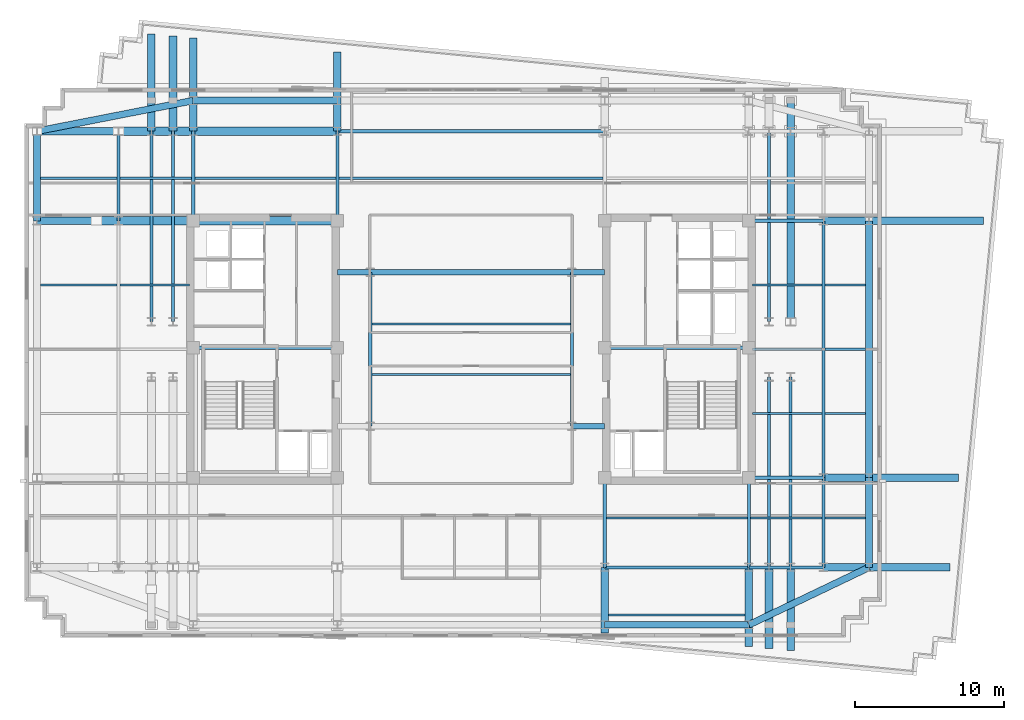
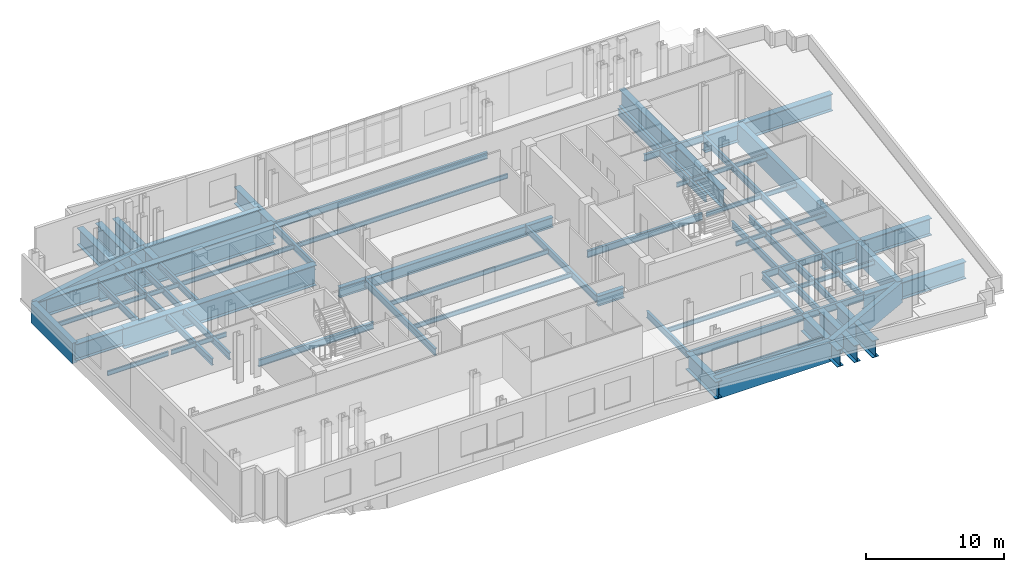
# One storey, part 2 of 11: 66 beams.
"""IFC4 building model written with IfcOpenShell, lengths in metres."""

from ifc_helpers import new_model, si_unit, direction, frame, origin, origin_2d, place, context, subcontext, project, spatial, rectangle, i_section, extrude, material, material_profile, profile_set, type_object, element, save


model = new_model("IFC4")

# Units and contexts
model_context = context("Model", 3, precision=1e-05, world=origin(), true_north=direction((0.0, 1.0)))
body_context = subcontext(model_context, "Body", "Model", "MODEL_VIEW")
ifc_project = project(units=[si_unit("LENGTHUNIT", "METRE"), si_unit("AREAUNIT", "SQUARE_METRE"), si_unit("VOLUMEUNIT", "CUBIC_METRE"), si_unit("PLANEANGLEUNIT", "RADIAN"), si_unit("MASSUNIT", "GRAM", prefix="KILO")], contexts=[model_context])

# Site, building, storey
site_placement = place(None, origin())
site = spatial("IfcSite", under=ifc_project, at=site_placement, CompositionType="ELEMENT")
building_placement = place(site_placement, origin())
building = spatial("IfcBuilding", under=site, at=building_placement, Name="Velakula Bourse", CompositionType="ELEMENT")
storey_placement = place(building_placement, frame((0.0, 0.0, 204.300048828125)))
storey = spatial("IfcBuildingStorey", under=building, at=storey_placement, Name="L55", CompositionType="ELEMENT", Elevation=204.300048828125)

# Beams
ifc_material_1 = material(Name="Steel IS 2062 Grade 350 (E350)", Category="steel")
ifc_material_profile_1 = material_profile(ifc_material_1, i_section(OverallWidth=0.2099609375, OverallDepth=0.60009765625, WebThickness=0.011962890625, FlangeThickness=0.020751953125, at=origin_2d()), Name="Steel IS 2062 Grade 350 (E350)")
ifc_profile_set_1 = profile_set([ifc_material_profile_1], Name="Steel IS 2062 Grade 350 (E350)")
beam_type_1 = type_object("IfcBeamType", Name="BM-GRD-600L", PredefinedType="BEAM", material=ifc_profile_set_1)
for number, where, z_axis, x_axis, name in (
    (1, (-18.60009765625, 0.10009765625, -0.580078125), (1.0, 0.0, 0.0), (0.0, 1.0, 0.0), "L55 Primary Backbone Girder CRW-M"),
    (2, (8.949951171875, 0.10009765625, -0.580078125), (1.0, 0.0, 0.0), (0.0, 1.0, 0.0), "L55 Primary Backbone Girder CRE-M"),
):
    element("IfcBeam", number, at=place(storey_placement, frame(where, z_axis=z_axis, x_axis=x_axis)), inside=storey, type_object=beam_type_1, Name=name, PredefinedType="BEAM", context=body_context, shape_type="SweptSolid", body=[
        extrude(i_section(OverallWidth=0.2099609375, OverallDepth=0.60009765625, WebThickness=0.011962890625, FlangeThickness=0.020751953125, at=origin_2d()), origin(), (0.0, 0.0, 1.0), 9.650146484375),
    ])
for number, where, z_axis, x_axis, name in (
    (3, (-6.75, -5.14990234375, -0.580078125), (0.0, 1.0, 0.0), (-1.0, 0.0, 0.0), "L55 Primary Backbone Girder SPN-W"),
    (4, (6.75, -5.14990234375, -0.580078125), (0.0, 1.0, 0.0), (-1.0, 0.0, 0.0), "L55 Primary Backbone Girder SPN-E"),
):
    element("IfcBeam", number, at=place(storey_placement, frame(where, z_axis=z_axis, x_axis=x_axis)), inside=storey, type_object=beam_type_1, Name=name, PredefinedType="BEAM", context=body_context, shape_type="SweptSolid", body=[
        extrude(i_section(OverallWidth=0.2099609375, OverallDepth=0.60009765625, WebThickness=0.011962890625, FlangeThickness=0.020751953125, at=origin_2d()), origin(), (0.0, 0.0, 1.0), 10.2998046875),
    ])
for number, where, z_axis, x_axis, name in (
    (5, (-18.60009765625, 8.60009765625, -0.580078125), (0.0, 1.0, 0.0), (-1.0, 0.0, 0.0), "L55 Fulcrum Grid Girder FLC-WN"),
    (6, (-8.949951171875, 8.60009765625, -0.580078125), (0.0, 1.0, 0.0), (-1.0, 0.0, 0.0), "L55 Fulcrum Grid Girder FLC-WCN"),
    (7, (8.949951171875, -14.60009765625, -0.580078125), (0.0, 1.0, 0.0), (-1.0, 0.0, 0.0), "L55 Fulcrum Grid Girder FLC-ECS"),
    (8, (18.60009765625, -14.60009765625, -0.580078125), (0.0, 1.0, 0.0), (-1.0, 0.0, 0.0), "L55 Fulcrum Grid Girder FLC-ES"),
):
    element("IfcBeam", number, at=place(storey_placement, frame(where, z_axis=z_axis, x_axis=x_axis)), inside=storey, type_object=beam_type_1, Name=name, PredefinedType="BEAM", context=body_context, shape_type="SweptSolid", body=[
        extrude(i_section(OverallWidth=0.2099609375, OverallDepth=0.60009765625, WebThickness=0.011962890625, FlangeThickness=0.020751953125, at=origin_2d()), origin(), (0.0, 0.0, 1.0), 6.0),
    ])
beam_1_placement = place(storey_placement, frame((8.949951171875, -14.60009765625, -0.580078125), z_axis=(1.0, 0.0, 0.0), x_axis=(0.0, 1.0, 0.0)))
element("IfcBeam", 9, at=beam_1_placement, inside=storey, type_object=beam_type_1, Name="L55 Fulcrum Grid Girder FLC-S3", PredefinedType="BEAM", context=body_context, shape_type="SweptSolid", body=[
    extrude(i_section(OverallWidth=0.2099609375, OverallDepth=0.60009765625, WebThickness=0.011962890625, FlangeThickness=0.020751953125, at=origin_2d()), origin(), (0.0, 0.0, 1.0), 9.650146484375),
])
beam_2_placement = place(storey_placement, frame((-8.949951171875, 14.60009765625, -0.580078125), z_axis=(1.0, 0.0, 0.0), x_axis=(0.0, 1.0, 0.0)))
element("IfcBeam", 10, at=beam_2_placement, inside=storey, type_object=beam_type_1, Name="L55 Fulcrum Grid Girder FLC-N2", PredefinedType="BEAM", context=body_context, shape_type="SweptSolid", body=[
    extrude(i_section(OverallWidth=0.2099609375, OverallDepth=0.60009765625, WebThickness=0.011962890625, FlangeThickness=0.020751953125, at=origin_2d()), origin(), (0.0, 0.0, 1.0), 17.89990234375),
])
for number, where, z_axis, x_axis, name in (
    (11, (-21.39990234375, 1.85009765625, -0.580078125), (0.0, 1.0, 0.0), (-1.0, 0.0, 0.0), "L55 Fulcrum Grid Girder FLC-PNW1"),
    (12, (-19.949951171875, 1.85009765625, -0.580078125), (0.0, 1.0, 0.0), (-1.0, 0.0, 0.0), "L55 Fulcrum Grid Girder FLC-PNW2"),
    (13, (19.949951171875, -14.60009765625, -0.580078125), (0.0, 1.0, 0.0), (-1.0, 0.0, 0.0), "L55 Fulcrum Grid Girder FLC-PSE1"),
    (14, (19.949951171875, 1.85009765625, -0.580078125), (0.0, 1.0, 0.0), (-1.0, 0.0, 0.0), "L55 Fulcrum Grid Girder FLC-PNE1"),
    (15, (21.39990234375, -14.60009765625, -0.580078125), (0.0, 1.0, 0.0), (-1.0, 0.0, 0.0), "L55 Fulcrum Grid Girder FLC-PSE2"),
):
    element("IfcBeam", number, at=place(storey_placement, frame(where, z_axis=z_axis, x_axis=x_axis)), inside=storey, type_object=beam_type_1, Name=name, PredefinedType="BEAM", context=body_context, shape_type="SweptSolid", body=[
        extrude(i_section(OverallWidth=0.2099609375, OverallDepth=0.60009765625, WebThickness=0.011962890625, FlangeThickness=0.020751953125, at=origin_2d()), origin(), (0.0, 0.0, 1.0), 12.75),
    ])
beam_3_placement = place(storey_placement, frame((-23.60009765625, 8.60009765625, -0.580078125), z_axis=(0.0, 1.0, 0.0), x_axis=(-1.0, 0.0, 0.0)))
element("IfcBeam", 16, at=beam_3_placement, inside=storey, type_object=beam_type_1, Name="L55 Fulcrum Grid Girder MWG-WNS3", PredefinedType="BEAM", context=body_context, shape_type="SweptSolid", body=[
    extrude(i_section(OverallWidth=0.2099609375, OverallDepth=0.60009765625, WebThickness=0.011962890625, FlangeThickness=0.020751953125, at=origin_2d()), origin(), (0.0, 0.0, 1.0), 6.0),
])
for number, where, z_axis, x_axis, name in (
    (17, (18.60009765625, -14.60009765625, -0.580078125), (1.0, 0.0, 0.0), (0.0, 1.0, 0.0), "L55 Fulcrum Grid Girder MWG-ES1"),
    (18, (18.60009765625, -8.60009765625, -0.580078125), (1.0, 0.0, 0.0), (0.0, 1.0, 0.0), "L55 Fulcrum Grid Girder MWG-ES2"),
    (19, (18.60009765625, 8.60009765625, -0.580078125), (1.0, 0.0, 0.0), (0.0, 1.0, 0.0), "L55 Fulcrum Grid Girder MWG-EN1"),
):
    element("IfcBeam", number, at=place(storey_placement, frame(where, z_axis=z_axis, x_axis=x_axis)), inside=storey, type_object=beam_type_1, Name=name, PredefinedType="BEAM", context=body_context, shape_type="SweptSolid", body=[
        extrude(i_section(OverallWidth=0.2099609375, OverallDepth=0.60009765625, WebThickness=0.011962890625, FlangeThickness=0.020751953125, at=origin_2d()), origin(), (0.0, 0.0, 1.0), 5.0),
    ])
beam_4_placement = place(storey_placement, frame((23.60009765625, -14.60009765625, -0.580078125), z_axis=(0.0, 1.0, 0.0), x_axis=(-1.0, 0.0, 0.0)))
element("IfcBeam", 20, at=beam_4_placement, inside=storey, type_object=beam_type_1, Name="L55 Fulcrum Grid Girder MWG-ENS1", PredefinedType="BEAM", context=body_context, shape_type="SweptSolid", body=[
    extrude(i_section(OverallWidth=0.2099609375, OverallDepth=0.60009765625, WebThickness=0.011962890625, FlangeThickness=0.020751953125, at=origin_2d()), origin(), (0.0, 0.0, 1.0), 6.0),
])
beam_5_placement = place(storey_placement, frame((23.60009765625, -8.60009765625, -0.580078125), z_axis=(0.0, 1.0, 0.0), x_axis=(-1.0, 0.0, 0.0)))
element("IfcBeam", 21, at=beam_5_placement, inside=storey, type_object=beam_type_1, Name="L55 Fulcrum Grid Girder MWG-ENS2", PredefinedType="BEAM", context=body_context, shape_type="SweptSolid", body=[
    extrude(i_section(OverallWidth=0.2099609375, OverallDepth=0.60009765625, WebThickness=0.011962890625, FlangeThickness=0.020751953125, at=origin_2d()), origin(), (0.0, 0.0, 1.0), 17.2001953125),
])
ifc_material_profile_2 = material_profile(ifc_material_1, i_section(OverallWidth=0.35009765625, OverallDepth=0.89990234375, WebThickness=0.02001953125, FlangeThickness=0.031982421875, at=origin_2d()), Name="Steel IS 2062 Grade 350 (E350)")
ifc_profile_set_2 = profile_set([ifc_material_profile_2], Name="Steel IS 2062 Grade 350 (E350)")
beam_type_2 = type_object("IfcBeamType", Name="BM-LNK-900", PredefinedType="BEAM", material=ifc_profile_set_2)
for number, where, z_axis, x_axis, name in (
    (22, (6.75, -5.14990234375, -0.72998046875), (1.0, 0.0, 0.0), (0.0, 1.0, 0.0), "L55 Primary Backbone Girder LNK-S3"),
    (23, (-8.949951171875, 5.14990234375, -0.72998046875), (1.0, 0.0, 0.0), (0.0, 1.0, 0.0), "L55 Primary Backbone Girder LNK-N1"),
):
    element("IfcBeam", number, at=place(storey_placement, frame(where, z_axis=z_axis, x_axis=x_axis)), inside=storey, type_object=beam_type_2, Name=name, PredefinedType="BEAM", context=body_context, shape_type="SweptSolid", body=[
        extrude(i_section(OverallWidth=0.35009765625, OverallDepth=0.89990234375, WebThickness=0.02001953125, FlangeThickness=0.031982421875, at=origin_2d()), origin(), (0.0, 0.0, 1.0), 2.199951171875),
    ])
beam_6_placement = place(storey_placement, frame((-6.75, 5.14990234375, -0.72998046875), z_axis=(1.0, 0.0, 0.0), x_axis=(0.0, 1.0, 0.0)))
element("IfcBeam", 24, at=beam_6_placement, inside=storey, type_object=beam_type_2, Name="L55 Primary Backbone Girder LNK-N2", PredefinedType="BEAM", context=body_context, shape_type="SweptSolid", body=[
    extrude(i_section(OverallWidth=0.35009765625, OverallDepth=0.89990234375, WebThickness=0.02001953125, FlangeThickness=0.031982421875, at=origin_2d()), origin(), (0.0, 0.0, 1.0), 13.5),
])
beam_7_placement = place(storey_placement, frame((6.75, 5.14990234375, -0.72998046875), z_axis=(1.0, 0.0, 0.0), x_axis=(0.0, 1.0, 0.0)))
element("IfcBeam", 25, at=beam_7_placement, inside=storey, type_object=beam_type_2, Name="L55 Primary Backbone Girder LNK-N3", PredefinedType="BEAM", context=body_context, shape_type="SweptSolid", body=[
    extrude(i_section(OverallWidth=0.35009765625, OverallDepth=0.89990234375, WebThickness=0.02001953125, FlangeThickness=0.031982421875, at=origin_2d()), origin(), (0.0, 0.0, 1.0), 2.199951171875),
])
ifc_material_profile_3 = material_profile(ifc_material_1, i_section(OverallWidth=0.139892578125, OverallDepth=0.39990234375, WebThickness=0.0087890625, FlangeThickness=0.01611328125, at=origin_2d()), Name="Steel IS 2062 Grade 350 (E350)")
ifc_profile_set_3 = profile_set([ifc_material_profile_3], Name="Steel IS 2062 Grade 350 (E350)")
beam_type_3 = type_object("IfcBeamType", Name="JST-TWR-400", PredefinedType="JOIST", material=ifc_profile_set_3)
beam_8_placement = place(storey_placement, frame((9.2099609375, -17.800048828125, -0.47998046875), z_axis=(1.0, 0.0, 0.0), x_axis=(0.0, 1.0, 0.0)))
element("IfcBeam", 26, at=beam_8_placement, inside=storey, type_object=beam_type_3, Name="L55 Trading Floor Composite Joist 03", PredefinedType="JOIST", context=body_context, shape_type="SweptSolid", body=[
    extrude(i_section(OverallWidth=0.139892578125, OverallDepth=0.39990234375, WebThickness=0.0087890625, FlangeThickness=0.01611328125, at=origin_2d()), origin(), (0.0, 0.0, 1.0), 9.130126953125),
])
beam_9_placement = place(storey_placement, frame((9.054931640625, -11.300048828125, -0.47998046875), z_axis=(1.0, 0.0, 0.0), x_axis=(0.0, 1.0, 0.0)))
element("IfcBeam", 27, at=beam_9_placement, inside=storey, type_object=beam_type_3, Name="L55 Trading Floor Composite Joist 08", PredefinedType="JOIST", context=body_context, shape_type="SweptSolid", body=[
    extrude(i_section(OverallWidth=0.139892578125, OverallDepth=0.39990234375, WebThickness=0.0087890625, FlangeThickness=0.01611328125, at=origin_2d()), origin(), (0.0, 0.0, 1.0), 9.440185546875),
])
beam_10_placement = place(storey_placement, frame((18.705078125, -11.300048828125, -0.47998046875), z_axis=(1.0, 0.0, 0.0), x_axis=(0.0, 1.0, 0.0)))
element("IfcBeam", 28, at=beam_10_placement, inside=storey, type_object=beam_type_3, Name="L55 Trading Floor Composite Joist 09", PredefinedType="JOIST", context=body_context, shape_type="SweptSolid", body=[
    extrude(i_section(OverallWidth=0.139892578125, OverallDepth=0.39990234375, WebThickness=0.0087890625, FlangeThickness=0.01611328125, at=origin_2d()), origin(), (0.0, 0.0, 1.0), 4.7900390625),
])
beam_11_placement = place(storey_placement, frame((23.705078125, -11.300048828125, -0.47998046875), z_axis=(1.0, 0.0, 0.0), x_axis=(0.0, 1.0, 0.0)))
element("IfcBeam", 29, at=beam_11_placement, inside=storey, type_object=beam_type_3, Name="L55 Trading Floor Composite Joist 10", PredefinedType="JOIST", context=body_context, shape_type="SweptSolid", body=[
    extrude(i_section(OverallWidth=0.139892578125, OverallDepth=0.39990234375, WebThickness=0.0087890625, FlangeThickness=0.01611328125, at=origin_2d()), origin(), (0.0, 0.0, 1.0), 2.719970703125),
])
beam_12_placement = place(storey_placement, frame((-28.824951171875, 11.449951171875, -0.47998046875), z_axis=(1.0, 0.0, 0.0), x_axis=(0.0, 1.0, 0.0)))
element("IfcBeam", 30, at=beam_12_placement, inside=storey, type_object=beam_type_3, Name="L55 Trading Floor Composite Joist 11", PredefinedType="JOIST", context=body_context, shape_type="SweptSolid", body=[
    extrude(i_section(OverallWidth=0.139892578125, OverallDepth=0.39990234375, WebThickness=0.0087890625, FlangeThickness=0.01611328125, at=origin_2d()), origin(), (0.0, 0.0, 1.0), 5.119873046875),
])
beam_13_placement = place(storey_placement, frame((-23.4951171875, 11.449951171875, -0.47998046875), z_axis=(1.0, 0.0, 0.0), x_axis=(0.0, 1.0, 0.0)))
element("IfcBeam", 31, at=beam_13_placement, inside=storey, type_object=beam_type_3, Name="L55 Trading Floor Composite Joist 12", PredefinedType="JOIST", context=body_context, shape_type="SweptSolid", body=[
    extrude(i_section(OverallWidth=0.139892578125, OverallDepth=0.39990234375, WebThickness=0.0087890625, FlangeThickness=0.01611328125, at=origin_2d()), origin(), (0.0, 0.0, 1.0), 4.7900390625),
])
beam_14_placement = place(storey_placement, frame((-18.4951171875, 11.449951171875, -0.47998046875), z_axis=(1.0, 0.0, 0.0), x_axis=(0.0, 1.0, 0.0)))
element("IfcBeam", 32, at=beam_14_placement, inside=storey, type_object=beam_type_3, Name="L55 Trading Floor Composite Joist 13", PredefinedType="JOIST", context=body_context, shape_type="SweptSolid", body=[
    extrude(i_section(OverallWidth=0.139892578125, OverallDepth=0.39990234375, WebThickness=0.0087890625, FlangeThickness=0.01611328125, at=origin_2d()), origin(), (0.0, 0.0, 1.0), 9.440185546875),
])
beam_15_placement = place(storey_placement, frame((-8.844970703125, 11.449951171875, -0.47998046875), z_axis=(1.0, 0.0, 0.0), x_axis=(0.0, 1.0, 0.0)))
element("IfcBeam", 33, at=beam_15_placement, inside=storey, type_object=beam_type_3, Name="L55 Trading Floor Composite Joist 14", PredefinedType="JOIST", context=body_context, shape_type="SweptSolid", body=[
    extrude(i_section(OverallWidth=0.139892578125, OverallDepth=0.39990234375, WebThickness=0.0087890625, FlangeThickness=0.01611328125, at=origin_2d()), origin(), (0.0, 0.0, 1.0), 17.68994140625),
])
for number, where, z_axis, x_axis, name in (
    (34, (-6.64501953125, -1.699951171875, -0.47998046875), (1.0, 0.0, 0.0), (0.0, 1.0, 0.0), "L55 Trading Floor Composite Joist 18"),
    (35, (-6.64501953125, 1.699951171875, -0.47998046875), (1.0, 0.0, 0.0), (0.0, 1.0, 0.0), "L55 Trading Floor Composite Joist 19"),
):
    element("IfcBeam", number, at=place(storey_placement, frame(where, z_axis=z_axis, x_axis=x_axis)), inside=storey, type_object=beam_type_3, Name=name, PredefinedType="JOIST", context=body_context, shape_type="SweptSolid", body=[
        extrude(i_section(OverallWidth=0.139892578125, OverallDepth=0.39990234375, WebThickness=0.0087890625, FlangeThickness=0.01611328125, at=origin_2d()), origin(), (0.0, 0.0, 1.0), 13.2900390625),
    ])
beam_16_placement = place(storey_placement, frame((18.85009765625, -4.300048828125, -0.47998046875), z_axis=(1.0, 0.0, 0.0), x_axis=(0.0, 1.0, 0.0)))
element("IfcBeam", 36, at=beam_16_placement, inside=storey, type_object=beam_type_3, Name="L55 Trading Floor Composite Joist 22", PredefinedType="JOIST", context=body_context, shape_type="SweptSolid", body=[
    extrude(i_section(OverallWidth=0.139892578125, OverallDepth=0.39990234375, WebThickness=0.0087890625, FlangeThickness=0.01611328125, at=origin_2d()), origin(), (0.0, 0.0, 1.0), 4.64501953125),
])
beam_17_placement = place(storey_placement, frame((23.705078125, -4.300048828125, -0.47998046875), z_axis=(1.0, 0.0, 0.0), x_axis=(0.0, 1.0, 0.0)))
element("IfcBeam", 37, at=beam_17_placement, inside=storey, type_object=beam_type_3, Name="L55 Trading Floor Composite Joist 23", PredefinedType="JOIST", context=body_context, shape_type="SweptSolid", body=[
    extrude(i_section(OverallWidth=0.139892578125, OverallDepth=0.39990234375, WebThickness=0.0087890625, FlangeThickness=0.01611328125, at=origin_2d()), origin(), (0.0, 0.0, 1.0), 2.719970703125),
])
beam_18_placement = place(storey_placement, frame((18.85009765625, 0.0, -0.47998046875), z_axis=(1.0, 0.0, 0.0), x_axis=(0.0, 1.0, 0.0)))
element("IfcBeam", 38, at=beam_18_placement, inside=storey, type_object=beam_type_3, Name="L55 Trading Floor Composite Joist 26", PredefinedType="JOIST", context=body_context, shape_type="SweptSolid", body=[
    extrude(i_section(OverallWidth=0.139892578125, OverallDepth=0.39990234375, WebThickness=0.0087890625, FlangeThickness=0.01611328125, at=origin_2d()), origin(), (0.0, 0.0, 1.0), 4.64501953125),
])
beam_19_placement = place(storey_placement, frame((23.705078125, 0.0, -0.47998046875), z_axis=(1.0, 0.0, 0.0), x_axis=(0.0, 1.0, 0.0)))
element("IfcBeam", 39, at=beam_19_placement, inside=storey, type_object=beam_type_3, Name="L55 Trading Floor Composite Joist 27", PredefinedType="JOIST", context=body_context, shape_type="SweptSolid", body=[
    extrude(i_section(OverallWidth=0.139892578125, OverallDepth=0.39990234375, WebThickness=0.0087890625, FlangeThickness=0.01611328125, at=origin_2d()), origin(), (0.0, 0.0, 1.0), 2.719970703125),
])
beam_20_placement = place(storey_placement, frame((-28.824951171875, 4.300048828125, -0.47998046875), z_axis=(1.0, 0.0, 0.0), x_axis=(0.0, 1.0, 0.0)))
element("IfcBeam", 40, at=beam_20_placement, inside=storey, type_object=beam_type_3, Name="L55 Trading Floor Composite Joist 28", PredefinedType="JOIST", context=body_context, shape_type="SweptSolid", body=[
    extrude(i_section(OverallWidth=0.139892578125, OverallDepth=0.39990234375, WebThickness=0.0087890625, FlangeThickness=0.01611328125, at=origin_2d()), origin(), (0.0, 0.0, 1.0), 5.119873046875),
])
for number, where, z_axis, x_axis, name in (
    (41, (-23.4951171875, 4.300048828125, -0.47998046875), (1.0, 0.0, 0.0), (0.0, 1.0, 0.0), "L55 Trading Floor Composite Joist 29"),
    (42, (18.85009765625, 4.300048828125, -0.47998046875), (1.0, 0.0, 0.0), (0.0, 1.0, 0.0), "L55 Trading Floor Composite Joist 30"),
):
    element("IfcBeam", number, at=place(storey_placement, frame(where, z_axis=z_axis, x_axis=x_axis)), inside=storey, type_object=beam_type_3, Name=name, PredefinedType="JOIST", context=body_context, shape_type="SweptSolid", body=[
        extrude(i_section(OverallWidth=0.139892578125, OverallDepth=0.39990234375, WebThickness=0.0087890625, FlangeThickness=0.01611328125, at=origin_2d()), origin(), (0.0, 0.0, 1.0), 4.64501953125),
    ])
beam_21_placement = place(storey_placement, frame((23.705078125, 4.300048828125, -0.47998046875), z_axis=(1.0, 0.0, 0.0), x_axis=(0.0, 1.0, 0.0)))
element("IfcBeam", 43, at=beam_21_placement, inside=storey, type_object=beam_type_3, Name="L55 Trading Floor Composite Joist 31", PredefinedType="JOIST", context=body_context, shape_type="SweptSolid", body=[
    extrude(i_section(OverallWidth=0.139892578125, OverallDepth=0.39990234375, WebThickness=0.0087890625, FlangeThickness=0.01611328125, at=origin_2d()), origin(), (0.0, 0.0, 1.0), 2.719970703125),
])
ifc_material_2 = material(Name="Concrete M50 (fck 50 MPa)", Category="concrete")
ifc_material_profile_4 = material_profile(ifc_material_2, rectangle(XDim=0.449951171875, YDim=1.800048828125, at=origin_2d()), Name="Concrete M50 (fck 50 MPa)")
ifc_profile_set_4 = profile_set([ifc_material_profile_4], Name="Concrete M50 (fck 50 MPa)")
beam_type_4 = type_object("IfcBeamType", Name="SPN-TRF-1800", PredefinedType="SPANDREL", material=ifc_profile_set_4)
for number, where, z_axis, x_axis, name in (
    (44, (8.949951171875, -18.449951171875, -1.179931640625), (1.0, 0.0, 0.0), (0.0, 1.0, 0.0), "L55 Brick-Faced Precast Spandrel S3-S4"),
    (45, (-18.60009765625, 16.64990234375, -1.179931640625), (1.0, 0.0, 0.0), (0.0, 1.0, 0.0), "L55 Brick-Faced Precast Spandrel N1-N2"),
):
    element("IfcBeam", number, at=place(storey_placement, frame(where, z_axis=z_axis, x_axis=x_axis)), inside=storey, type_object=beam_type_4, Name=name, PredefinedType="SPANDREL", context=body_context, shape_type="SweptSolid", body=[
        extrude(rectangle(XDim=0.449951171875, YDim=1.800048828125, at=origin_2d()), origin(), (0.0, 0.0, 1.0), 9.650146484375),
    ])
for number, where, z_axis, x_axis, name in (
    (46, (-29.050048828125, 8.60009765625, -1.179931640625), (0.0, 1.0, 0.0), (-1.0, 0.0, 0.0), "L55 Brick-Faced Precast Spandrel W3-W4"),
    (47, (26.64990234375, -14.60009765625, -1.179931640625), (0.0, 1.0, 0.0), (-1.0, 0.0, 0.0), "L55 Brick-Faced Precast Spandrel E1-E2"),
):
    element("IfcBeam", number, at=place(storey_placement, frame(where, z_axis=z_axis, x_axis=x_axis)), inside=storey, type_object=beam_type_4, Name=name, PredefinedType="SPANDREL", context=body_context, shape_type="SweptSolid", body=[
        extrude(rectangle(XDim=0.449951171875, YDim=1.800048828125, at=origin_2d()), origin(), (0.0, 0.0, 1.0), 6.0),
    ])
beam_22_placement = place(storey_placement, frame((26.64990234375, -8.60009765625, -1.179931640625), z_axis=(0.0, 1.0, 0.0), x_axis=(-1.0, 0.0, 0.0)))
element("IfcBeam", 48, at=beam_22_placement, inside=storey, type_object=beam_type_4, Name="L55 Brick-Faced Precast Spandrel E2-E3", PredefinedType="SPANDREL", context=body_context, shape_type="SweptSolid", body=[
    extrude(rectangle(XDim=0.449951171875, YDim=1.800048828125, at=origin_2d()), origin(), (0.0, 0.0, 1.0), 17.2001953125),
])
beam_23_placement = place(storey_placement, frame((18.60009765625, -18.449951171875, -1.179931640625), z_axis=(0.902136536758, 0.431450656561, 0.0), x_axis=(-0.431450656561, 0.902136536758, 0.0)))
element("IfcBeam", 49, at=beam_23_placement, inside=storey, type_object=beam_type_4, Name="L55 Brick-Faced Precast Spandrel S4-E1", PredefinedType="SPANDREL", context=body_context, shape_type="SweptSolid", body=[
    extrude(rectangle(XDim=0.449951171875, YDim=1.800048828125, at=origin_2d()), origin(), (0.0, 0.0, 1.0), 8.923095703125),
])
beam_24_placement = place(storey_placement, frame((-18.60009765625, 16.64990234375, -1.179931640625), z_axis=(-0.981299657048, -0.192486319197, 0.0), x_axis=(0.192486319197, -0.981299657048, 0.0)))
element("IfcBeam", 50, at=beam_24_placement, inside=storey, type_object=beam_type_4, Name="L55 Brick-Faced Precast Spandrel N1-W4", PredefinedType="SPANDREL", context=body_context, shape_type="SweptSolid", body=[
    extrude(rectangle(XDim=0.449951171875, YDim=1.800048828125, at=origin_2d()), origin(), (0.0, 0.0, 1.0), 10.649169921875),
])
ifc_material_3 = material(Name="Steel IS 2062 Grade 450 (E450)", Category="steel")
ifc_material_profile_5 = material_profile(ifc_material_3, i_section(OverallWidth=0.52001953125, OverallDepth=1.5, WebThickness=0.030029296875, FlangeThickness=0.048095703125, at=origin_2d()), Name="Steel IS 2062 Grade 450 (E450)")
ifc_profile_set_5 = profile_set([ifc_material_profile_5], Name="Steel IS 2062 Grade 450 (E450)")
beam_type_5 = type_object("IfcBeamType", Name="TB-CANT-1500", PredefinedType="BEAM", material=ifc_profile_set_5)
beam_25_placement = place(storey_placement, frame((8.949951171875, -18.9814453125, -1.030029296875), z_axis=(0.0, 1.0, 0.0), x_axis=(-1.0, 0.0, 0.0)))
element("IfcBeam", 51, at=beam_25_placement, inside=storey, type_object=beam_type_5, Name="L55 Block B5 Transfer Girder S3", PredefinedType="BEAM", context=body_context, shape_type="SweptSolid", body=[
    extrude(i_section(OverallWidth=0.52001953125, OverallDepth=1.5, WebThickness=0.030029296875, FlangeThickness=0.048095703125, at=origin_2d()), origin(), (0.0, 0.0, 1.0), 4.38134765625),
])
beam_26_placement = place(storey_placement, frame((18.60009765625, -19.91064453125, -1.030029296875), z_axis=(0.0, 1.0, 0.0), x_axis=(-1.0, 0.0, 0.0)))
element("IfcBeam", 52, at=beam_26_placement, inside=storey, type_object=beam_type_5, Name="L55 Block B5 Transfer Girder S4", PredefinedType="BEAM", context=body_context, shape_type="SweptSolid", body=[
    extrude(i_section(OverallWidth=0.52001953125, OverallDepth=1.5, WebThickness=0.030029296875, FlangeThickness=0.048095703125, at=origin_2d()), origin(), (0.0, 0.0, 1.0), 5.310546875),
])
beam_27_placement = place(storey_placement, frame((-18.60009765625, 14.60009765625, -1.030029296875), z_axis=(0.0, 1.0, 0.0), x_axis=(-1.0, 0.0, 0.0)))
element("IfcBeam", 53, at=beam_27_placement, inside=storey, type_object=beam_type_5, Name="L55 Block B5 Transfer Girder N1", PredefinedType="BEAM", context=body_context, shape_type="SweptSolid", body=[
    extrude(i_section(OverallWidth=0.52001953125, OverallDepth=1.5, WebThickness=0.030029296875, FlangeThickness=0.048095703125, at=origin_2d()), origin(), (0.0, 0.0, 1.0), 6.2421875),
])
beam_28_placement = place(storey_placement, frame((-8.949951171875, 14.60009765625, -1.030029296875), z_axis=(0.0, 1.0, 0.0), x_axis=(-1.0, 0.0, 0.0)))
element("IfcBeam", 54, at=beam_28_placement, inside=storey, type_object=beam_type_5, Name="L55 Block B5 Transfer Girder N2", PredefinedType="BEAM", context=body_context, shape_type="SweptSolid", body=[
    extrude(i_section(OverallWidth=0.52001953125, OverallDepth=1.5, WebThickness=0.030029296875, FlangeThickness=0.048095703125, at=origin_2d()), origin(), (0.0, 0.0, 1.0), 5.31298828125),
])
beam_29_placement = place(storey_placement, frame((-25.068115234375, 8.60009765625, -1.030029296875), z_axis=(-1.0, 0.0, 0.0), x_axis=(0.0, -1.0, 0.0)))
element("IfcBeam", 55, at=beam_29_placement, inside=storey, type_object=beam_type_5, Name="L55 Primary Cantilever Transfer Chord W3", PredefinedType="BEAM", context=body_context, shape_type="SweptSolid", body=[
    extrude(i_section(OverallWidth=0.52001953125, OverallDepth=1.5, WebThickness=0.030029296875, FlangeThickness=0.048095703125, at=origin_2d()), origin(), (0.0, 0.0, 1.0), 3.98193359375),
])
beam_30_placement = place(storey_placement, frame((-23.60009765625, 14.60009765625, -1.030029296875), z_axis=(-1.0, 0.0, 0.0), x_axis=(0.0, -1.0, 0.0)))
element("IfcBeam", 56, at=beam_30_placement, inside=storey, type_object=beam_type_5, Name="L55 Primary Cantilever Transfer Chord W4", PredefinedType="BEAM", context=body_context, shape_type="SweptSolid", body=[
    extrude(i_section(OverallWidth=0.52001953125, OverallDepth=1.5, WebThickness=0.030029296875, FlangeThickness=0.048095703125, at=origin_2d()), origin(), (0.0, 0.0, 1.0), 5.449951171875),
])
beam_31_placement = place(storey_placement, frame((23.60009765625, -14.60009765625, -1.030029296875), z_axis=(1.0, 0.0, 0.0), x_axis=(0.0, 1.0, 0.0)))
element("IfcBeam", 57, at=beam_31_placement, inside=storey, type_object=beam_type_5, Name="L55 Block B5 Transfer Girder E1", PredefinedType="BEAM", context=body_context, shape_type="SweptSolid", body=[
    extrude(i_section(OverallWidth=0.52001953125, OverallDepth=1.5, WebThickness=0.030029296875, FlangeThickness=0.048095703125, at=origin_2d()), origin(), (0.0, 0.0, 1.0), 8.47119140625),
])
beam_32_placement = place(storey_placement, frame((23.60009765625, -8.60009765625, -1.030029296875), z_axis=(1.0, 0.0, 0.0), x_axis=(0.0, 1.0, 0.0)))
element("IfcBeam", 58, at=beam_32_placement, inside=storey, type_object=beam_type_5, Name="L55 Block B5 Transfer Girder E2", PredefinedType="BEAM", context=body_context, shape_type="SweptSolid", body=[
    extrude(i_section(OverallWidth=0.52001953125, OverallDepth=1.5, WebThickness=0.030029296875, FlangeThickness=0.048095703125, at=origin_2d()), origin(), (0.0, 0.0, 1.0), 9.048828125),
])
beam_33_placement = place(storey_placement, frame((23.60009765625, 8.60009765625, -1.030029296875), z_axis=(1.0, 0.0, 0.0), x_axis=(0.0, 1.0, 0.0)))
element("IfcBeam", 59, at=beam_33_placement, inside=storey, type_object=beam_type_5, Name="L55 Block B5 Transfer Girder E3", PredefinedType="BEAM", context=body_context, shape_type="SweptSolid", body=[
    extrude(i_section(OverallWidth=0.52001953125, OverallDepth=1.5, WebThickness=0.030029296875, FlangeThickness=0.048095703125, at=origin_2d()), origin(), (0.0, 0.0, 1.0), 10.705078125),
])
beam_34_placement = place(storey_placement, frame((19.949951171875, -20.04052734375, -1.030029296875), z_axis=(0.0, 1.0, 0.0), x_axis=(-1.0, 0.0, 0.0)))
element("IfcBeam", 60, at=beam_34_placement, inside=storey, type_object=beam_type_5, Name="L55 Block B5 Transfer Girder P03", PredefinedType="BEAM", context=body_context, shape_type="SweptSolid", body=[
    extrude(i_section(OverallWidth=0.52001953125, OverallDepth=1.5, WebThickness=0.030029296875, FlangeThickness=0.048095703125, at=origin_2d()), origin(), (0.0, 0.0, 1.0), 5.4404296875),
])
beam_35_placement = place(storey_placement, frame((21.39990234375, -20.180419921875, -1.030029296875), z_axis=(0.0, 1.0, 0.0), x_axis=(-1.0, 0.0, 0.0)))
element("IfcBeam", 61, at=beam_35_placement, inside=storey, type_object=beam_type_5, Name="L55 Block B5 Transfer Girder P04", PredefinedType="BEAM", context=body_context, shape_type="SweptSolid", body=[
    extrude(i_section(OverallWidth=0.52001953125, OverallDepth=1.5, WebThickness=0.030029296875, FlangeThickness=0.048095703125, at=origin_2d()), origin(), (0.0, 0.0, 1.0), 5.580322265625),
])
beam_36_placement = place(storey_placement, frame((-21.39990234375, 14.60009765625, -1.030029296875), z_axis=(0.0, 1.0, 0.0), x_axis=(-1.0, 0.0, 0.0)))
element("IfcBeam", 62, at=beam_36_placement, inside=storey, type_object=beam_type_5, Name="L55 Block B5 Transfer Girder P05", PredefinedType="BEAM", context=body_context, shape_type="SweptSolid", body=[
    extrude(i_section(OverallWidth=0.52001953125, OverallDepth=1.5, WebThickness=0.030029296875, FlangeThickness=0.048095703125, at=origin_2d()), origin(), (0.0, 0.0, 1.0), 6.511962890625),
])
beam_37_placement = place(storey_placement, frame((-19.949951171875, 14.60009765625, -1.030029296875), z_axis=(0.0, 1.0, 0.0), x_axis=(-1.0, 0.0, 0.0)))
element("IfcBeam", 63, at=beam_37_placement, inside=storey, type_object=beam_type_5, Name="L55 Block B5 Transfer Girder P06", PredefinedType="BEAM", context=body_context, shape_type="SweptSolid", body=[
    extrude(i_section(OverallWidth=0.52001953125, OverallDepth=1.5, WebThickness=0.030029296875, FlangeThickness=0.048095703125, at=origin_2d()), origin(), (0.0, 0.0, 1.0), 6.372314453125),
])
beam_38_placement = place(storey_placement, frame((21.39990234375, 1.85009765625, -1.030029296875), z_axis=(0.0, 1.0, 0.0), x_axis=(-1.0, 0.0, 0.0)))
element("IfcBeam", 64, at=beam_38_placement, inside=storey, type_object=beam_type_5, Name="L55 Primary Cantilever Transfer Chord P08", PredefinedType="BEAM", context=body_context, shape_type="SweptSolid", body=[
    extrude(i_section(OverallWidth=0.52001953125, OverallDepth=1.5, WebThickness=0.030029296875, FlangeThickness=0.048095703125, at=origin_2d()), origin(), (0.0, 0.0, 1.0), 14.7998046875),
])
ifc_material_profile_6 = material_profile(ifc_material_3, i_section(OverallWidth=0.550048828125, OverallDepth=1.800048828125, WebThickness=0.031982421875, FlangeThickness=0.048095703125, at=origin_2d()), Name="Steel IS 2062 Grade 450 (E450)")
ifc_profile_set_6 = profile_set([ifc_material_profile_6], Name="Steel IS 2062 Grade 450 (E450)")
beam_type_6 = type_object("IfcBeamType", Name="TB-CANT-1800", PredefinedType="BEAM", material=ifc_profile_set_6)
beam_39_placement = place(storey_placement, frame((-8.949951171875, 8.60009765625, -1.179931640625), z_axis=(-1.0, 0.0, 0.0), x_axis=(0.0, -1.0, 0.0)))
element("IfcBeam", 65, at=beam_39_placement, inside=storey, type_object=beam_type_6, Name="L55 Collinear Transfer Back-Span Girder W3", PredefinedType="BEAM", context=body_context, shape_type="SweptSolid", body=[
    extrude(i_section(OverallWidth=0.550048828125, OverallDepth=1.800048828125, WebThickness=0.031982421875, FlangeThickness=0.048095703125, at=origin_2d()), origin(), (0.0, 0.0, 1.0), 16.1181640625),
])
beam_40_placement = place(storey_placement, frame((-8.949951171875, 14.60009765625, -1.179931640625), z_axis=(-1.0, 0.0, 0.0), x_axis=(0.0, -1.0, 0.0)))
element("IfcBeam", 66, at=beam_40_placement, inside=storey, type_object=beam_type_6, Name="L55 Collinear Transfer Back-Span Girder W4", PredefinedType="BEAM", context=body_context, shape_type="SweptSolid", body=[
    extrude(i_section(OverallWidth=0.550048828125, OverallDepth=1.800048828125, WebThickness=0.031982421875, FlangeThickness=0.048095703125, at=origin_2d()), origin(), (0.0, 0.0, 1.0), 14.650146484375),
])

save(model, "model.ifc")
